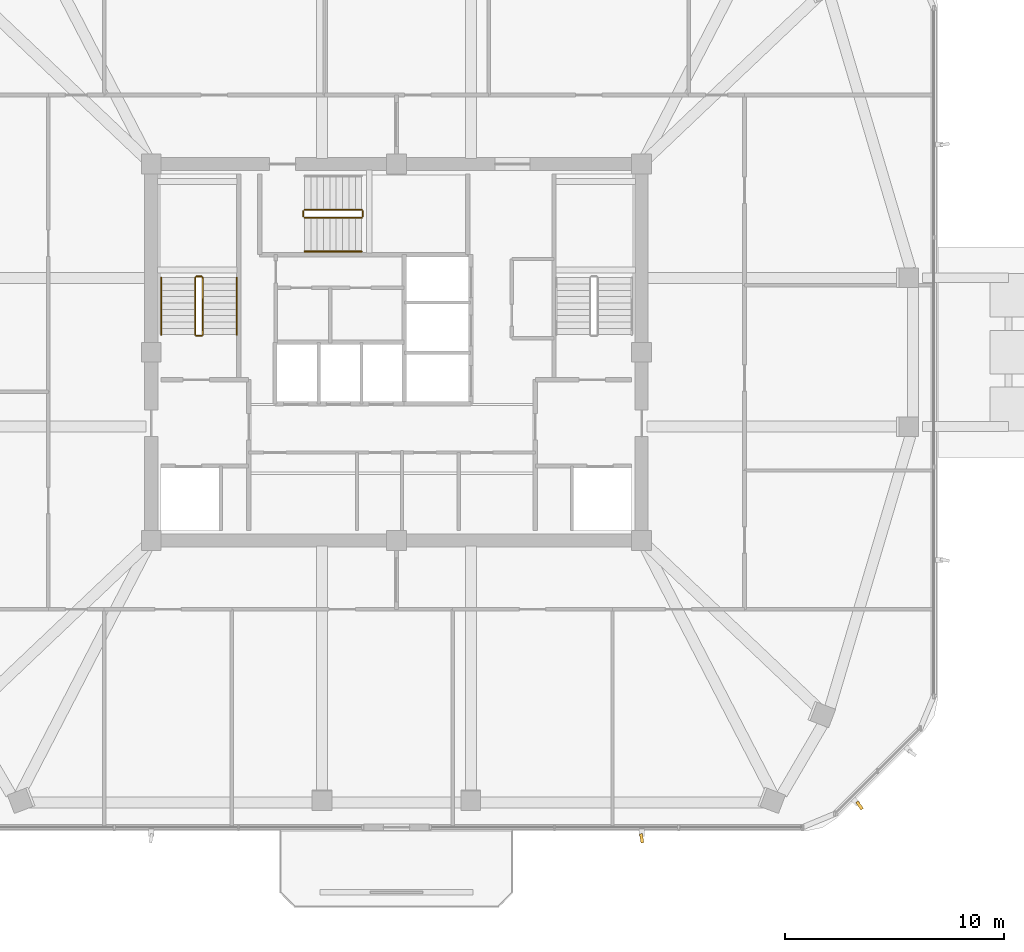
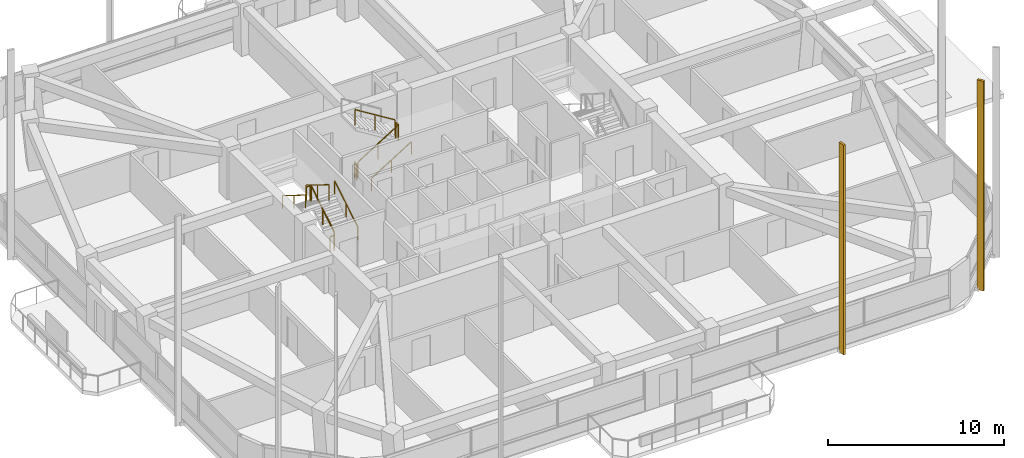
# One storey, part 12 of 14: 11 railings, 2 shading devices.
"""IFC4 building model written with IfcOpenShell, lengths in metres."""

from ifc_helpers import new_model, si_unit, derived_unit, direction, frame, origin, origin_2d, place, context, subcontext, project, spatial, rectangle, extrude, material, type_object, element, save


model = new_model("IFC4")

# Units and contexts
model_context = context("Model", 3, precision=1e-05, world=origin(), true_north=direction((0.0, 1.0)))
body_context = subcontext(model_context, "Body", "Model", "MODEL_VIEW")
ifc_project = project(units=[si_unit("LENGTHUNIT", "METRE"), si_unit("AREAUNIT", "SQUARE_METRE"), si_unit("VOLUMEUNIT", "CUBIC_METRE"), si_unit("PLANEANGLEUNIT", "RADIAN"), si_unit("MASSUNIT", "GRAM", prefix="KILO"), derived_unit("THERMALTRANSMITTANCEUNIT", [(si_unit("POWERUNIT", "WATT"), 1), (si_unit("LENGTHUNIT", "METRE"), -2), (si_unit("THERMODYNAMICTEMPERATUREUNIT", "KELVIN"), -1)])], contexts=[model_context])

# Site, building, storey
site_placement = place(None, origin())
site = spatial("IfcSite", under=ifc_project, at=site_placement, CompositionType="ELEMENT")
building_placement = place(site_placement, origin())
building = spatial("IfcBuilding", under=site, at=building_placement, Name="Koralith Skygarden Medical Center", CompositionType="ELEMENT")
storey_placement = place(building_placement, frame((0.0, 0.0, 192.780029296875)))
storey = spatial("IfcBuildingStorey", under=building, at=storey_placement, Name="L49", CompositionType="ELEMENT", Elevation=192.780029296875)

# Shading devices
ifc_material_1 = material(Name="Aluminium 6063-T6", Category="aluminium")
shading_device_type = type_object("IfcShadingDeviceType", Name="Limestone-Clad Solar Storm Fin 420", PredefinedType="USERDEFINED", material=ifc_material_1)
for number, where, z_axis, x_axis, name in (
    (1, (48.2041015625, 3.695068359375, -0.2001953125), (0.0, 0.0, 1.0), (0.159312611531, -0.987228186291, 0.0), "L49 S Harmonic Solar Storm Fin 2"),
    (2, (58.157958984375, 5.194091796875, -0.2001953125), (0.0, 0.0, 1.0), (0.565341369871, -0.824857039439, 0.0), "L49 SE Harmonic Solar Storm Fin 1"),
):
    element("IfcShadingDevice", number, at=place(storey_placement, frame(where, z_axis=z_axis, x_axis=x_axis)), inside=storey, type_object=shading_device_type, Name=name, ObjectType="SOLAR FIN", PredefinedType="USERDEFINED", context=body_context, shape_type="SweptSolid", body=[
        extrude(rectangle(XDim=0.419921875, YDim=0.139892578125, at=origin_2d()), origin(), (0.0, 0.0, 1.0), 14.550048828125),
    ])

# Railings
ifc_material_2 = material(Name="Steel ASTM A500 Grade C", Category="steel")
railing_type_1 = type_object("IfcRailingType", Name="Stair Flight Tubular Handrail 920", PredefinedType="HANDRAIL", material=ifc_material_2)
railing_1_placement = place(storey_placement, frame((29.699951171875, 26.699951171875, 0.179931640625)))
element("IfcRailing", 3, at=railing_1_placement, inside=storey, type_object=railing_type_1, Name="L49 ST1 stair handrail 1", PredefinedType="HANDRAIL", context=body_context, shape_type="SweptSolid", body=[
    extrude(rectangle(XDim=0.050048828125, YDim=0.050048828125, at=origin_2d()), frame((0.0, 0.001708984375, 0.89599609375), z_axis=(0.0, 0.849632798774, 0.527374731332), x_axis=(-1.0, 0.0, 0.0)), (0.0, 0.0, 1.0), 3.068115234375),
    extrude(rectangle(XDim=0.0419921875, YDim=0.0419921875, at=origin_2d()), origin(), (0.0, 0.0, 1.0), 0.867919921875),
    extrude(rectangle(XDim=0.0419921875, YDim=0.0419921875, at=origin_2d()), frame((0.0, 1.30517578125, 0.81005859375)), (0.0, 0.0, 1.0), 0.867919921875),
    extrude(rectangle(XDim=0.0419921875, YDim=0.0419921875, at=origin_2d()), frame((0.0, 2.610107421875, 1.6201171875)), (0.0, 0.0, 1.0), 0.867919921875),
])
railing_2_placement = place(storey_placement, frame((26.25, 29.31005859375, 1.97998046875)))
element("IfcRailing", 4, at=railing_2_placement, inside=storey, type_object=railing_type_1, Name="L49 ST1 stair handrail 2", PredefinedType="HANDRAIL", context=body_context, shape_type="SweptSolid", body=[
    extrude(rectangle(XDim=0.050048828125, YDim=0.050048828125, at=origin_2d()), frame((0.0, -0.001708984375, 0.89599609375), z_axis=(0.0, -0.849668407637, 0.527317358963), x_axis=(1.0, 0.0, 0.0)), (0.0, 0.0, 1.0), 3.06787109375),
    extrude(rectangle(XDim=0.0419921875, YDim=0.0419921875, at=origin_2d()), origin(), (0.0, 0.0, 1.0), 0.867919921875),
    extrude(rectangle(XDim=0.0419921875, YDim=0.0419921875, at=origin_2d()), frame((0.0, -1.30517578125, 0.81005859375)), (0.0, 0.0, 1.0), 0.867919921875),
    extrude(rectangle(XDim=0.0419921875, YDim=0.0419921875, at=origin_2d()), frame((0.0, -2.610107421875, 1.619873046875)), (0.0, 0.0, 1.0), 0.867919921875),
])
railing_3_placement = place(storey_placement, frame((32.800048828125, 30.5, 0.179931640625)))
element("IfcRailing", 5, at=railing_3_placement, inside=storey, type_object=railing_type_1, Name="L49 ST3 stair handrail 1", PredefinedType="HANDRAIL", context=body_context, shape_type="SweptSolid", body=[
    extrude(rectangle(XDim=0.050048828125, YDim=0.050048828125, at=origin_2d()), frame((0.001708984375, 0.0, 0.89599609375), z_axis=(0.849610693518, 0.0, 0.52741034258), x_axis=(0.0, 1.0, 0.0)), (0.0, 0.0, 1.0), 3.06787109375),
    extrude(rectangle(XDim=0.0419921875, YDim=0.0419921875, at=origin_2d()), origin(), (0.0, 0.0, 1.0), 0.867919921875),
    extrude(rectangle(XDim=0.0419921875, YDim=0.0419921875, at=origin_2d()), frame((1.304931640625, 0.0, 0.81005859375)), (0.0, 0.0, 1.0), 0.867919921875),
    extrude(rectangle(XDim=0.0419921875, YDim=0.0419921875, at=origin_2d()), frame((2.60986328125, 0.0, 1.6201171875)), (0.0, 0.0, 1.0), 0.867919921875),
])
railing_type_2 = type_object("IfcRailingType", Name="Stair Well Safety Guardrail 1100", PredefinedType="GUARDRAIL", material=ifc_material_2)
railing_4_placement = place(storey_placement, frame((28.14990234375, 26.699951171875, 0.179931640625)))
element("IfcRailing", 6, at=railing_4_placement, inside=storey, type_object=railing_type_2, Name="L49 ST1 stair guard 1", PredefinedType="GUARDRAIL", context=body_context, shape_type="SweptSolid", body=[
    extrude(rectangle(XDim=0.050048828125, YDim=0.050048828125, at=origin_2d()), frame((0.0, 0.001708984375, 1.076171875), z_axis=(0.0, 0.849632798774, 0.527374731332), x_axis=(-1.0, 0.0, 0.0)), (0.0, 0.0, 1.0), 3.068115234375),
    extrude(rectangle(XDim=0.0419921875, YDim=0.0419921875, at=origin_2d()), origin(), (0.0, 0.0, 1.0), 1.048095703125),
    extrude(rectangle(XDim=0.0419921875, YDim=0.0419921875, at=origin_2d()), frame((0.0, 1.30517578125, 0.81005859375)), (0.0, 0.0, 1.0), 1.048095703125),
    extrude(rectangle(XDim=0.0419921875, YDim=0.0419921875, at=origin_2d()), frame((0.0, 2.610107421875, 1.6201171875)), (0.0, 0.0, 1.0), 1.048095703125),
])
railing_5_placement = place(storey_placement, frame((28.10009765625, 29.360107421875, 1.800048828125)))
element("IfcRailing", 7, at=railing_5_placement, inside=storey, type_object=railing_type_2, Name="L49 ST1 stair guard 2", PredefinedType="GUARDRAIL", context=body_context, shape_type="SweptSolid", body=[
    extrude(rectangle(XDim=0.050048828125, YDim=0.050048828125, at=origin_2d()), frame((-0.001953125, 0.0, 1.0751953125), z_axis=(-1.0, 0.0, 0.0), x_axis=(0.0, -1.0, 0.0)), (0.0, 0.0, 1.0), 0.24609375),
    extrude(rectangle(XDim=0.0419921875, YDim=0.0419921875, at=origin_2d()), origin(), (0.0, 0.0, 1.0), 1.048095703125),
    extrude(rectangle(XDim=0.0419921875, YDim=0.0419921875, at=origin_2d()), frame((-0.25, 0.0, 0.0)), (0.0, 0.0, 1.0), 1.048095703125),
])
railing_6_placement = place(storey_placement, frame((27.800048828125, 29.31005859375, 1.97998046875)))
element("IfcRailing", 8, at=railing_6_placement, inside=storey, type_object=railing_type_2, Name="L49 ST1 stair guard 3", PredefinedType="GUARDRAIL", context=body_context, shape_type="SweptSolid", body=[
    extrude(rectangle(XDim=0.050048828125, YDim=0.050048828125, at=origin_2d()), frame((0.0, -0.001708984375, 1.076171875), z_axis=(0.0, -0.849668407637, 0.527317358963), x_axis=(1.0, 0.0, 0.0)), (0.0, 0.0, 1.0), 3.06787109375),
    extrude(rectangle(XDim=0.0419921875, YDim=0.0419921875, at=origin_2d()), origin(), (0.0, 0.0, 1.0), 1.048095703125),
    extrude(rectangle(XDim=0.0419921875, YDim=0.0419921875, at=origin_2d()), frame((0.0, -1.30517578125, 0.81005859375)), (0.0, 0.0, 1.0), 1.048095703125),
    extrude(rectangle(XDim=0.0419921875, YDim=0.0419921875, at=origin_2d()), frame((0.0, -2.610107421875, 1.619873046875)), (0.0, 0.0, 1.0), 1.048095703125),
])
railing_7_placement = place(storey_placement, frame((28.10009765625, 26.64990234375, 0.0)))
element("IfcRailing", 9, at=railing_7_placement, inside=storey, type_object=railing_type_2, Name="L49 ST1 stair guard 4", PredefinedType="GUARDRAIL", context=body_context, shape_type="SweptSolid", body=[
    extrude(rectangle(XDim=0.050048828125, YDim=0.050048828125, at=origin_2d()), frame((-0.001953125, 0.0, 1.0751953125), z_axis=(-1.0, 0.0, 0.0), x_axis=(0.0, -1.0, 0.0)), (0.0, 0.0, 1.0), 0.24609375),
    extrude(rectangle(XDim=0.0419921875, YDim=0.0419921875, at=origin_2d()), origin(), (0.0, 0.0, 1.0), 1.048095703125),
    extrude(rectangle(XDim=0.0419921875, YDim=0.0419921875, at=origin_2d()), frame((-0.25, 0.0, 0.0)), (0.0, 0.0, 1.0), 1.048095703125),
])
railing_8_placement = place(storey_placement, frame((32.800048828125, 32.050048828125, 0.179931640625)))
element("IfcRailing", 10, at=railing_8_placement, inside=storey, type_object=railing_type_2, Name="L49 ST3 stair guard 1", PredefinedType="GUARDRAIL", context=body_context, shape_type="SweptSolid", body=[
    extrude(rectangle(XDim=0.050048828125, YDim=0.050048828125, at=origin_2d()), frame((0.001708984375, 0.0, 1.076171875), z_axis=(0.849610693518, 0.0, 0.52741034258), x_axis=(0.0, 1.0, 0.0)), (0.0, 0.0, 1.0), 3.06787109375),
    extrude(rectangle(XDim=0.0419921875, YDim=0.0419921875, at=origin_2d()), origin(), (0.0, 0.0, 1.0), 1.048095703125),
    extrude(rectangle(XDim=0.0419921875, YDim=0.0419921875, at=origin_2d()), frame((1.304931640625, 0.0, 0.81005859375)), (0.0, 0.0, 1.0), 1.048095703125),
    extrude(rectangle(XDim=0.0419921875, YDim=0.0419921875, at=origin_2d()), frame((2.60986328125, 0.0, 1.6201171875)), (0.0, 0.0, 1.0), 1.048095703125),
])
railing_9_placement = place(storey_placement, frame((35.4599609375, 32.10009765625, 1.800048828125)))
element("IfcRailing", 11, at=railing_9_placement, inside=storey, type_object=railing_type_2, Name="L49 ST3 stair guard 2", PredefinedType="GUARDRAIL", context=body_context, shape_type="SweptSolid", body=[
    extrude(rectangle(XDim=0.050048828125, YDim=0.050048828125, at=origin_2d()), frame((0.0, 0.001953125, 1.0751953125), z_axis=(0.0, 1.0, 0.0), x_axis=(-1.0, 0.0, 0.0)), (0.0, 0.0, 1.0), 0.24609375),
    extrude(rectangle(XDim=0.0419921875, YDim=0.0419921875, at=origin_2d()), origin(), (0.0, 0.0, 1.0), 1.048095703125),
    extrude(rectangle(XDim=0.0419921875, YDim=0.0419921875, at=origin_2d()), frame((0.0, 0.25, 0.0)), (0.0, 0.0, 1.0), 1.048095703125),
])
railing_10_placement = place(storey_placement, frame((35.409912109375, 32.39990234375, 1.97998046875)))
element("IfcRailing", 12, at=railing_10_placement, inside=storey, type_object=railing_type_2, Name="L49 ST3 stair guard 3", PredefinedType="GUARDRAIL", context=body_context, shape_type="SweptSolid", body=[
    extrude(rectangle(XDim=0.050048828125, YDim=0.050048828125, at=origin_2d()), frame((-0.001708984375, 0.0, 1.076171875), z_axis=(-0.849646306263, 0.0, 0.527352969322), x_axis=(0.0, -1.0, 0.0)), (0.0, 0.0, 1.0), 3.067626953125),
    extrude(rectangle(XDim=0.0419921875, YDim=0.0419921875, at=origin_2d()), origin(), (0.0, 0.0, 1.0), 1.048095703125),
    extrude(rectangle(XDim=0.0419921875, YDim=0.0419921875, at=origin_2d()), frame((-1.304931640625, 0.0, 0.81005859375)), (0.0, 0.0, 1.0), 1.048095703125),
    extrude(rectangle(XDim=0.0419921875, YDim=0.0419921875, at=origin_2d()), frame((-2.60986328125, 0.0, 1.619873046875)), (0.0, 0.0, 1.0), 1.048095703125),
])
railing_11_placement = place(storey_placement, frame((32.75, 32.10009765625, 0.0)))
element("IfcRailing", 13, at=railing_11_placement, inside=storey, type_object=railing_type_2, Name="L49 ST3 stair guard 4", PredefinedType="GUARDRAIL", context=body_context, shape_type="SweptSolid", body=[
    extrude(rectangle(XDim=0.050048828125, YDim=0.050048828125, at=origin_2d()), frame((0.0, 0.001953125, 1.0751953125), z_axis=(0.0, 1.0, 0.0), x_axis=(-1.0, 0.0, 0.0)), (0.0, 0.0, 1.0), 0.24609375),
    extrude(rectangle(XDim=0.0419921875, YDim=0.0419921875, at=origin_2d()), origin(), (0.0, 0.0, 1.0), 1.048095703125),
    extrude(rectangle(XDim=0.0419921875, YDim=0.0419921875, at=origin_2d()), frame((0.0, 0.25, 0.0)), (0.0, 0.0, 1.0), 1.048095703125),
])

save(model, "model.ifc")
